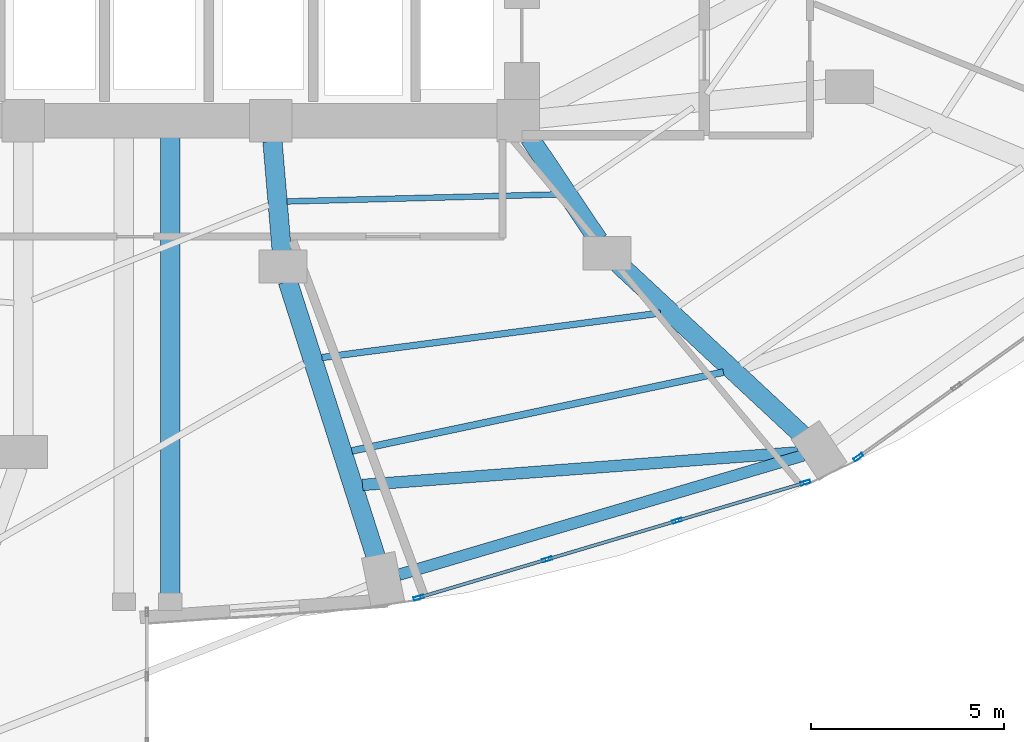
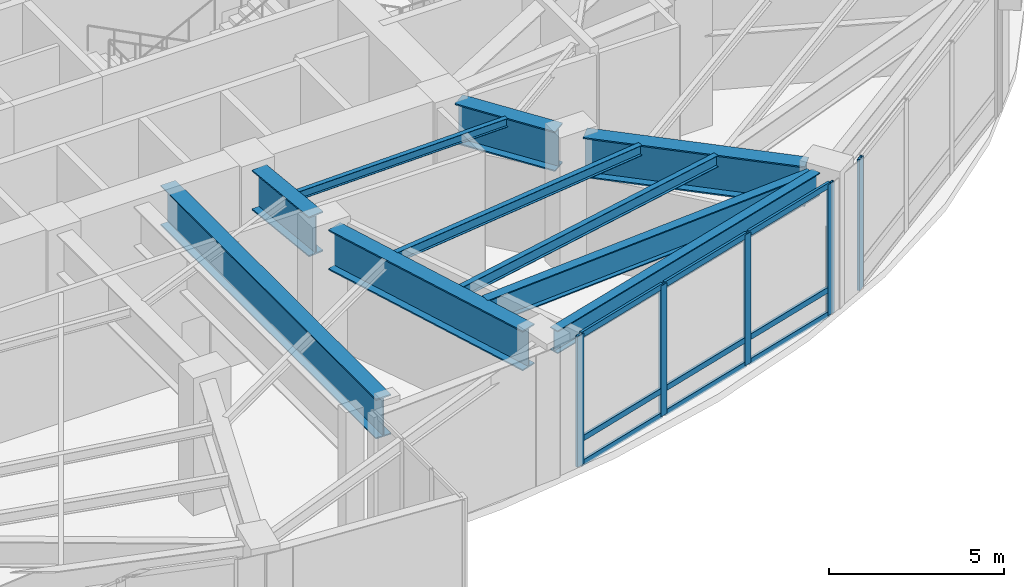
# One storey, part 10 of 24: 14 members, 10 beams, 2 elements without a shape of their own.
"""IFC4 building model written with IfcOpenShell, lengths in metres."""

import ifcopenshell
import ifcopenshell.guid

model = None  # the IFC model being written
_history = None  # IfcOwnerHistory: only IFC2X3 demands one
_inside = {}  # id of a spatial element -> (the spatial element, [elements in it])
_under = {}  # id of a project, library or spatial element -> (it, [spatial elements below it])
_declared = {}  # id of a project -> (the project, [libraries it declares])
_typed = {}  # id of a type object -> (the type object, [elements of that type])
_made_of = {}  # id of a material, layer set ... -> (it, [elements and type objects made of it])


def new_model(schema):
    """Start an empty IFC model of exactly this schema.

    Asked for "IFC4X3", IfcOpenShell would pick the latest addendum, in which some entities
    have other attributes; the version numbers below select the first issue.
    IFC2X3 requires an IfcOwnerHistory on every rooted entity: one is made here for all.
    """
    global model, _history
    if schema == "IFC4X3":
        model = ifcopenshell.file(schema_version=(4, 3, 0, 0))
    else:
        model = ifcopenshell.file(schema=schema)
    _inside.clear()
    _under.clear()
    _declared.clear()
    _typed.clear()
    _made_of.clear()
    _history = None
    if model.schema == "IFC2X3":
        org = make("IfcOrganization", Name="unknown")
        user = make(
            "IfcPersonAndOrganization",
            ThePerson=make("IfcPerson", FamilyName="unknown"),
            TheOrganization=org,
        )
        app = make(
            "IfcApplication",
            ApplicationDeveloper=org,
            Version="unknown",
            ApplicationFullName="unknown",
            ApplicationIdentifier="unknown",
        )
        _history = make(
            "IfcOwnerHistory",
            OwningUser=user,
            OwningApplication=app,
            ChangeAction="ADDED",
            CreationDate=0,
        )
    return model


def make(cls, **values):
    """One entity of the class cls with the attributes given. An attribute that is None is left unset."""
    return model.create_entity(
        cls, **{name: value for name, value in values.items() if value is not None}
    )


def rooted(cls, **values):
    """An entity with a GlobalId (a new one), such as an element, a storey or a relation."""
    return make(cls, GlobalId=ifcopenshell.guid.new(), OwnerHistory=_history, **values)


def si_unit(unit_type, name, prefix=None):
    """IfcSIUnit, for example si_unit("LENGTHUNIT", "METRE", prefix="MILLI")."""
    return make("IfcSIUnit", UnitType=unit_type, Prefix=prefix, Name=name)


def assignment(units):
    """IfcUnitAssignment: the units of a project."""
    return None if units is None else make("IfcUnitAssignment", Units=units)


def point(xyz):
    """IfcCartesianPoint."""
    return None if xyz is None else make("IfcCartesianPoint", Coordinates=xyz)


def direction(xyz):
    """IfcDirection."""
    return None if xyz is None else make("IfcDirection", DirectionRatios=xyz)


def frame(location, z_axis=None, x_axis=None):
    """IfcAxis2Placement3D, a coordinate frame: its origin and axes. An axis left out is left unset."""
    return make(
        "IfcAxis2Placement3D",
        Location=point(location),
        Axis=direction(z_axis),
        RefDirection=direction(x_axis),
    )


def frame_2d(location, x_axis=None):
    """IfcAxis2Placement2D, a coordinate frame in the plane: its origin and x axis."""
    return make(
        "IfcAxis2Placement2D", Location=point(location), RefDirection=direction(x_axis)
    )


def origin():
    """The frame at (0, 0, 0) with its axes left unset."""
    return frame((0.0, 0.0, 0.0))


def origin_2d():
    """The frame at (0, 0) in the plane with its x axis left unset."""
    return frame_2d((0.0, 0.0))


def place(relative_to, where):
    """IfcLocalPlacement: puts the frame where relative to a parent placement (None: the world)."""
    return make(
        "IfcLocalPlacement", PlacementRelTo=relative_to, RelativePlacement=where
    )


def context(
    kind, dimensions, precision=None, world=None, true_north=None, identifier=None
):
    """IfcGeometricRepresentationContext, for example the 3D "Model" context."""
    return make(
        "IfcGeometricRepresentationContext",
        ContextIdentifier=identifier,
        ContextType=kind,
        CoordinateSpaceDimension=dimensions,
        Precision=precision,
        WorldCoordinateSystem=world,
        TrueNorth=true_north,
    )


def subcontext(parent, identifier, kind, view, scale=None):
    """IfcGeometricRepresentationSubContext, for example "Body" below "Model"."""
    return make(
        "IfcGeometricRepresentationSubContext",
        ContextIdentifier=identifier,
        ContextType=kind,
        ParentContext=parent,
        TargetScale=scale,
        TargetView=view,
    )


def project(units=None, contexts=None):
    """IfcProject with its units and contexts."""
    return rooted(
        "IfcProject",
        Name="project",
        RepresentationContexts=contexts,
        UnitsInContext=assignment(units),
    )


def spatial(cls, under=None, at=None, **own):
    """A site, building, storey or space (cls), placed at a placement, below another one or the project."""
    s = rooted(cls, ObjectPlacement=at, **own)
    if under is not None:
        _under.setdefault(under.id(), (under, []))[1].append(s)
    return s


def profile(cls, at=None, kind="AREA", **sizes):
    """A parametric profile (cls). Its sizes go by their IFC names, for example OverallWidth=200.0."""
    return make(cls, ProfileType=kind, Position=at, **sizes)


def hollow_rectangle(**sizes):
    """IfcRectangleHollowProfileDef."""
    return profile("IfcRectangleHollowProfileDef", **sizes)


def i_section(**sizes):
    """IfcIShapeProfileDef."""
    return profile("IfcIShapeProfileDef", **sizes)


def extrude(swept, where, along, depth):
    """IfcExtrudedAreaSolid: the profile swept, set in the frame where, extruded along a direction by depth."""
    return make(
        "IfcExtrudedAreaSolid",
        SweptArea=swept,
        Position=where,
        ExtrudedDirection=direction(along),
        Depth=depth,
    )


def shape(context_of_items, identifier, shape_type, items):
    """IfcShapeRepresentation: the items that make up one representation, for example the "Body"."""
    return make(
        "IfcShapeRepresentation",
        ContextOfItems=context_of_items,
        RepresentationIdentifier=identifier,
        RepresentationType=shape_type,
        Items=items,
    )


def material(Name=None, Category=None):
    """IfcMaterial."""
    return make("IfcMaterial", Name=Name, Category=Category)


def layer(
    of_material, thickness, ventilated=None, Name=None, Category=None, Priority=None
):
    """IfcMaterialLayer: one layer of a wall or slab, of a material (None: an air gap)."""
    return make(
        "IfcMaterialLayer",
        Material=of_material,
        LayerThickness=thickness,
        IsVentilated=ventilated,
        Name=Name,
        Category=Category,
        Priority=Priority,
    )


def layer_set(layers, Name=None):
    """IfcMaterialLayerSet."""
    return make("IfcMaterialLayerSet", MaterialLayers=layers, LayerSetName=Name)


def material_profile(
    of_material, cross_section, Name=None, Category=None, Priority=None
):
    """IfcMaterialProfile: a cross section and its material."""
    return make(
        "IfcMaterialProfile",
        Name=Name,
        Material=of_material,
        Profile=cross_section,
        Priority=Priority,
        Category=Category,
    )


def profile_set(profiles, Name=None, composite=None):
    """IfcMaterialProfileSet."""
    return make(
        "IfcMaterialProfileSet",
        Name=Name,
        MaterialProfiles=profiles,
        CompositeProfile=composite,
    )


def made_of(thing, what):
    """Note that an element or type object is made of a material, layer set ...; save() writes the relation."""
    if what is not None:
        _made_of.setdefault(what.id(), (what, []))[1].append(thing)
    return thing


def type_object(cls, material=None, **own):
    """A type object (cls), such as IfcWallType, which elements share."""
    return made_of(rooted(cls, **own), material)


def element(
    cls,
    number,
    at=None,
    inside=None,
    cuts=None,
    type_object=None,
    material=None,
    context=None,
    identifier="Body",
    shape_type=None,
    held_by="IfcProductDefinitionShape",
    body=None,
    shapes=None,
    **own,
):
    """One element of the class cls, such as IfcWall. Its Tag is "e" and its number.

    at: its placement. inside: the storey or other place that contains it. cuts: it is an
    opening in that element (IfcRelVoidsElement). A single representation is given by context,
    identifier, shape_type and body (its items); several are given by shapes. held_by: the class
    of the entity that holds the representations. save() writes the other relations.
    """
    e = rooted(cls, Tag="e%d" % number, ObjectPlacement=at, **own)
    if body is not None:
        shapes = [shape(context, identifier, shape_type, body)]
    if shapes is not None:
        e.Representation = make(held_by, Representations=shapes)
    if inside is not None:
        _inside.setdefault(inside.id(), (inside, []))[1].append(e)
    if cuts is not None:
        rooted(
            "IfcRelVoidsElement", RelatingBuildingElement=cuts, RelatedOpeningElement=e
        )
    if type_object is not None:
        _typed.setdefault(type_object.id(), (type_object, []))[1].append(e)
    return made_of(e, material)


def aggregate(whole, parts):
    """IfcRelAggregates: a whole, such as a stair, and the parts it consists of."""
    return rooted("IfcRelAggregates", RelatingObject=whole, RelatedObjects=parts)


def save(model, path):
    """Write the relations noted so far, then the file.

    IfcRelAggregates (storeys below a building ...), IfcRelContainedInSpatialStructure (elements
    in a storey), IfcRelDefinesByType, IfcRelAssociatesMaterial and IfcRelDeclares: one each for
    every whole, place, type object, material and project.
    """
    for whole, parts in _under.values():
        aggregate(whole, parts)
    for where, things in _inside.values():
        rooted(
            "IfcRelContainedInSpatialStructure",
            RelatedElements=things,
            RelatingStructure=where,
        )
    for kind, things in _typed.values():
        rooted("IfcRelDefinesByType", RelatedObjects=things, RelatingType=kind)
    for what, things in _made_of.values():
        rooted("IfcRelAssociatesMaterial", RelatedObjects=things, RelatingMaterial=what)
    for by, libraries in _declared.values():
        rooted("IfcRelDeclares", RelatingContext=by, RelatedDefinitions=libraries)
    model.write(path)


model = new_model("IFC4")

# Units and contexts
model_context = context("Model", 3, precision=1e-05, world=origin(), true_north=direction((0.0, 1.0)))
body_context = subcontext(model_context, "Body", "Model", "MODEL_VIEW")
ifc_project = project(units=[si_unit("LENGTHUNIT", "METRE"), si_unit("AREAUNIT", "SQUARE_METRE"), si_unit("VOLUMEUNIT", "CUBIC_METRE"), si_unit("PLANEANGLEUNIT", "RADIAN"), si_unit("MASSUNIT", "GRAM", prefix="KILO")], contexts=[model_context])

# Site, building, storey
site_placement = place(None, origin())
site = spatial("IfcSite", under=ifc_project, at=site_placement, CompositionType="ELEMENT")
building_placement = place(site_placement, origin())
building = spatial("IfcBuilding", under=site, at=building_placement, Name="Lazwardi Medical Tower", CompositionType="ELEMENT")
storey_placement = place(building_placement, frame((0.0, 0.0, 20.39990234375)))
storey = spatial("IfcBuildingStorey", under=building, at=storey_placement, Name="L04", CompositionType="ELEMENT", Elevation=20.39990234375)

# Beams
ifc_material_1 = material(Name="Steel S460", Category="steel")
ifc_material_profile_1 = material_profile(ifc_material_1, i_section(OverallWidth=0.300048828125, OverallDepth=0.89990234375, WebThickness=0.0185546875, FlangeThickness=0.034912109375, at=origin_2d()), Name="HEB 900")
ifc_profile_set_1 = profile_set([ifc_material_profile_1], Name="Steel S460")
beam_type_1 = type_object("IfcBeamType", Name="BM-HB-01", PredefinedType="BEAM", material=ifc_profile_set_1)
beam_1_placement = place(storey_placement, frame((41.5751953125, 10.97412109375, 4.130126953125), z_axis=(0.997211757878, 0.074623789443, 0.0), x_axis=(-0.074623789443, 0.997211757878, 0.0)))
element("IfcBeam", 1, at=beam_1_placement, inside=storey, type_object=beam_type_1, Name="Transfer girder tie HB-01 M01 L04", PredefinedType="BEAM", context=body_context, shape_type="SweptSolid", body=[
    extrude(i_section(OverallWidth=0.300048828125, OverallDepth=0.89990234375, WebThickness=0.0185546875, FlangeThickness=0.034912109375, at=origin_2d()), origin(), (0.0, 0.0, 1.0), 11.287109375),
])
ifc_material_2 = material(Name="Steel S355", Category="steel")
ifc_material_profile_2 = material_profile(ifc_material_2, i_section(OverallWidth=0.300048828125, OverallDepth=0.800048828125, WebThickness=0.017578125, FlangeThickness=0.032958984375, at=origin_2d()), Name="HEB 800")
ifc_profile_set_2 = profile_set([ifc_material_profile_2], Name="Steel S355")
beam_type_2 = type_object("IfcBeamType", Name="BM-RB-P1", PredefinedType="BEAM", material=ifc_profile_set_2)
beam_2_placement = place(storey_placement, frame((42.518798828125, 8.650146484375, 4.18017578125), z_axis=(0.959103395471, 0.283055960537, 0.0), x_axis=(-0.283055960537, 0.959103395471, 0.0)))
element("IfcBeam", 2, at=beam_2_placement, inside=storey, type_object=beam_type_2, Name="Ring beam RB-01 B01 L04", PredefinedType="BEAM", context=body_context, shape_type="SweptSolid", body=[
    extrude(i_section(OverallWidth=0.300048828125, OverallDepth=0.800048828125, WebThickness=0.017578125, FlangeThickness=0.032958984375, at=origin_2d()), origin(), (0.0, 0.0, 1.0), 10.904052734375),
])
ifc_material_profile_3 = material_profile(ifc_material_2, i_section(OverallWidth=0.179931640625, OverallDepth=0.39990234375, WebThickness=0.008544921875, FlangeThickness=0.013427734375, at=origin_2d()), Name="IPE 400")
ifc_profile_set_3 = profile_set([ifc_material_profile_3], Name="Steel S355")
beam_type_3 = type_object("IfcBeamType", Name="BM-SJ-01", PredefinedType="JOIST", material=ifc_profile_set_3)
beam_3_placement = place(storey_placement, frame((41.300048828125, 11.853759765625, 4.380126953125), z_axis=(0.978253530237, 0.207412705926, 0.0), x_axis=(-0.207412705926, 0.978253530237, 0.0)))
element("IfcBeam", 3, at=beam_3_placement, inside=storey, type_object=beam_type_3, Name="Secondary joist SJ-01 RO1 B01 L04", PredefinedType="JOIST", context=body_context, shape_type="SweptSolid", body=[
    extrude(i_section(OverallWidth=0.179931640625, OverallDepth=0.39990234375, WebThickness=0.008544921875, FlangeThickness=0.013427734375, at=origin_2d()), origin(), (0.0, 0.0, 1.0), 9.826171875),
])
ifc_material_profile_4 = material_profile(ifc_material_2, i_section(OverallWidth=0.169921875, OverallDepth=0.360107421875, WebThickness=0.008056640625, FlangeThickness=0.0126953125, at=origin_2d()), Name="IPE 360")
ifc_profile_set_4 = profile_set([ifc_material_profile_4], Name="Steel S355")
beam_type_4 = type_object("IfcBeamType", Name="BM-SJ-02", PredefinedType="JOIST", material=ifc_profile_set_4)
beam_4_placement = place(storey_placement, frame((40.525390625, 14.270263671875, 4.400146484375), z_axis=(0.991473466477, 0.130308730604, 0.0), x_axis=(-0.130308730604, 0.991473466477, 0.0)))
element("IfcBeam", 4, at=beam_4_placement, inside=storey, type_object=beam_type_4, Name="Secondary joist SJ-02 RO2 B01 L04", PredefinedType="JOIST", context=body_context, shape_type="SweptSolid", body=[
    extrude(i_section(OverallWidth=0.169921875, OverallDepth=0.360107421875, WebThickness=0.008056640625, FlangeThickness=0.0126953125, at=origin_2d()), origin(), (0.0, 0.0, 1.0), 8.837646484375),
])
ifc_material_profile_5 = material_profile(ifc_material_2, i_section(OverallWidth=0.14990234375, OverallDepth=0.300048828125, WebThickness=0.007080078125, FlangeThickness=0.0107421875, at=origin_2d()), Name="IPE 300")
ifc_profile_set_5 = profile_set([ifc_material_profile_5], Name="Steel S355")
beam_type_5 = type_object("IfcBeamType", Name="BM-SJ-03", PredefinedType="JOIST", material=ifc_profile_set_5)
beam_5_placement = place(storey_placement, frame((39.622802734375, 18.309326171875, 4.43017578125), z_axis=(0.999666263873, 0.025833328729, 0.0), x_axis=(-0.025833328729, 0.999666263873, 0.0)))
element("IfcBeam", 5, at=beam_5_placement, inside=storey, type_object=beam_type_5, Name="Secondary joist SJ-03 RI1 B01 L04", PredefinedType="JOIST", context=body_context, shape_type="SweptSolid", body=[
    extrude(i_section(OverallWidth=0.14990234375, OverallDepth=0.300048828125, WebThickness=0.007080078125, FlangeThickness=0.0107421875, at=origin_2d()), origin(), (0.0, 0.0, 1.0), 7.012451171875),
])
ifc_material_profile_6 = material_profile(ifc_material_1, i_section(OverallWidth=0.5, OverallDepth=1.39990234375, WebThickness=0.028076171875, FlangeThickness=0.044921875, at=origin_2d()), Name="PG 1400x500")
ifc_profile_set_6 = profile_set([ifc_material_profile_6], Name="Steel S460")
beam_type_6 = type_object("IfcBeamType", Name="BM-TG-01", PredefinedType="BEAM", material=ifc_profile_set_6)
beam_6_placement = place(storey_placement, frame((36.60009765625, 8.159912109375, 3.880126953125), z_axis=(0.0, 1.0, 0.0), x_axis=(-1.0, 0.0, 0.0)))
element("IfcBeam", 6, at=beam_6_placement, inside=storey, type_object=beam_type_6, Name="Transfer girder TG-01 PL4 L04", PredefinedType="BEAM", context=body_context, shape_type="SweptSolid", body=[
    extrude(i_section(OverallWidth=0.5, OverallDepth=1.39990234375, WebThickness=0.028076171875, FlangeThickness=0.044921875, at=origin_2d()), origin(), (0.0, 0.0, 1.0), 12.340087890625),
])
beam_7_placement = place(storey_placement, frame((41.9296875, 9.0810546875, 3.880126953125), z_axis=(-0.304290316493, 0.952579342254, 0.0), x_axis=(-0.952579342254, -0.304290316493, 0.0)))
element("IfcBeam", 7, at=beam_7_placement, inside=storey, type_object=beam_type_6, Name="Transfer girder TG-01 M01A L04", PredefinedType="BEAM", context=body_context, shape_type="SweptSolid", body=[
    extrude(i_section(OverallWidth=0.5, OverallDepth=1.39990234375, WebThickness=0.028076171875, FlangeThickness=0.044921875, at=origin_2d()), origin(), (0.0, 0.0, 1.0), 7.51953125),
])
beam_8_placement = place(storey_placement, frame((39.486083984375, 17.023681640625, 3.880126953125), z_axis=(-0.084447396155, 0.996427938831, 0.0), x_axis=(-0.996427938831, -0.084447396155, 0.0)))
element("IfcBeam", 8, at=beam_8_placement, inside=storey, type_object=beam_type_6, Name="Transfer girder TG-01 M01B L04", PredefinedType="BEAM", context=body_context, shape_type="SweptSolid", body=[
    extrude(i_section(OverallWidth=0.5, OverallDepth=1.39990234375, WebThickness=0.028076171875, FlangeThickness=0.044921875, at=origin_2d()), origin(), (0.0, 0.0, 1.0), 2.853515625),
])
beam_9_placement = place(storey_placement, frame((52.965087890625, 12.253662109375, 3.880126953125), z_axis=(-0.731658891276, 0.681670937342, 0.0), x_axis=(-0.681670937342, -0.731658891276, 0.0)))
element("IfcBeam", 9, at=beam_9_placement, inside=storey, type_object=beam_type_6, Name="Transfer girder TG-01 M02A L04", PredefinedType="BEAM", context=body_context, shape_type="SweptSolid", body=[
    extrude(i_section(OverallWidth=0.5, OverallDepth=1.39990234375, WebThickness=0.028076171875, FlangeThickness=0.044921875, at=origin_2d()), origin(), (0.0, 0.0, 1.0), 6.52001953125),
])
beam_10_placement = place(storey_placement, frame((47.678955078125, 17.302978515625, 3.880126953125), z_axis=(-0.557342392299, 0.830282757708, 0.0), x_axis=(-0.830282757708, -0.557342392299, 0.0)))
element("IfcBeam", 10, at=beam_10_placement, inside=storey, type_object=beam_type_6, Name="Transfer girder TG-01 M02B L04", PredefinedType="BEAM", context=body_context, shape_type="SweptSolid", body=[
    extrude(i_section(OverallWidth=0.5, OverallDepth=1.39990234375, WebThickness=0.028076171875, FlangeThickness=0.044921875, at=origin_2d()), origin(), (0.0, 0.0, 1.0), 3.195068359375),
])

# Curtain wall, members
ifc_material_3 = material(Name="Anodised bronze aluminium and solar control glazing", Category="aluminium")
ifc_layer = layer(ifc_material_3, 0.219970703125)
ifc_layer_set = layer_set([ifc_layer], Name="Anodised bronze aluminium and solar control glazing")
curtain_wall_type = type_object("IfcCurtainWallType", Name="CW-SYS-01", PredefinedType="NOTDEFINED", material=ifc_layer_set)
curtain_wall_1_placement = place(storey_placement, origin())
curtain_wall_1 = element("IfcCurtainWall", 11, at=curtain_wall_1_placement, inside=storey, type_object=curtain_wall_type, Name="L04 Unitised bronze curtain wall CW-01", PredefinedType="NOTDEFINED")
ifc_material_4 = material(Name="Anodised bronze aluminium", Category="aluminium")
ifc_material_profile_7 = material_profile(ifc_material_4, hollow_rectangle(XDim=0.0849609375, YDim=0.260009765625, WallThickness=0.0048828125, at=origin_2d()), Name="ALU-MULLION 260x85x5")
ifc_profile_set_7 = profile_set([ifc_material_profile_7], Name="Anodised bronze aluminium")
member_type_1 = type_object("IfcMemberType", Name="CW-MUL-02", PredefinedType="MULLION", material=ifc_profile_set_7)
member_1_placement = place(storey_placement, frame((43.02880859375, 8.05810546875, 0.0), z_axis=(0.0, 0.0, 1.0), x_axis=(-0.285047195531, 0.958513482597, 0.0)))
member_1 = element("IfcMember", 12, at=member_1_placement, type_object=member_type_1, Name="CW-01 mullion 1", PredefinedType="MULLION", context=body_context, shape_type="SweptSolid", body=[
    extrude(hollow_rectangle(XDim=0.0849609375, YDim=0.260009765625, WallThickness=0.0048828125, at=origin_2d()), origin(), (0.0, 0.0, 1.0), 4.580078125),
])
member_2_placement = place(storey_placement, frame((46.350341796875, 9.0458984375, 0.0), z_axis=(0.0, 0.0, 1.0), x_axis=(-0.285047195531, 0.958513482597, 0.0)))
member_2 = element("IfcMember", 13, at=member_2_placement, type_object=member_type_1, Name="CW-01 mullion 2", PredefinedType="MULLION", context=body_context, shape_type="SweptSolid", body=[
    extrude(hollow_rectangle(XDim=0.0849609375, YDim=0.260009765625, WallThickness=0.0048828125, at=origin_2d()), origin(), (0.0, 0.0, 1.0), 4.580078125),
])
member_3_placement = place(storey_placement, frame((49.71240234375, 10.0458984375, 0.0), z_axis=(0.0, 0.0, 1.0), x_axis=(-0.285047195531, 0.958513482597, 0.0)))
member_3 = element("IfcMember", 14, at=member_3_placement, type_object=member_type_1, Name="CW-01 mullion 3", PredefinedType="MULLION", context=body_context, shape_type="SweptSolid", body=[
    extrude(hollow_rectangle(XDim=0.0849609375, YDim=0.260009765625, WallThickness=0.0048828125, at=origin_2d()), origin(), (0.0, 0.0, 1.0), 4.580078125),
])
member_4_placement = place(storey_placement, frame((53.033935546875, 11.03369140625, 0.0), z_axis=(0.0, 0.0, 1.0), x_axis=(-0.285047195531, 0.958513482597, 0.0)))
member_4 = element("IfcMember", 15, at=member_4_placement, type_object=member_type_1, Name="CW-01 mullion 4", PredefinedType="MULLION", context=body_context, shape_type="SweptSolid", body=[
    extrude(hollow_rectangle(XDim=0.0849609375, YDim=0.260009765625, WallThickness=0.0048828125, at=origin_2d()), origin(), (0.0, 0.0, 1.0), 4.580078125),
])

# Curtain wall, member
curtain_wall_2_placement = place(storey_placement, origin())
curtain_wall_2 = element("IfcCurtainWall", 16, at=curtain_wall_2_placement, inside=storey, type_object=curtain_wall_type, Name="L04 Unitised bronze curtain wall CW-01", PredefinedType="NOTDEFINED")
member_5_placement = place(storey_placement, frame((54.40576171875, 11.6923828125, 0.0), z_axis=(0.0, 0.0, 1.0), x_axis=(-0.583214260584, 0.812318365083, 0.0)))
member_5 = element("IfcMember", 17, at=member_5_placement, type_object=member_type_1, Name="CW-01 mullion 1", PredefinedType="MULLION", context=body_context, shape_type="SweptSolid", body=[
    extrude(hollow_rectangle(XDim=0.0849609375, YDim=0.260009765625, WallThickness=0.0048828125, at=origin_2d()), origin(), (0.0, 0.0, 1.0), 4.580078125),
])
aggregate(curtain_wall_2, [member_5])

# Member
ifc_material_profile_8 = material_profile(ifc_material_4, hollow_rectangle(XDim=0.0849609375, YDim=0.199951171875, WallThickness=0.00439453125, at=origin_2d()), Name="ALU-TRANSOM 200x85x4.5")
ifc_profile_set_8 = profile_set([ifc_material_profile_8], Name="Anodised bronze aluminium")
member_type_2 = type_object("IfcMemberType", Name="CW-TRN-02", PredefinedType="USERDEFINED", material=ifc_profile_set_8)
member_6_placement = place(storey_placement, frame((43.069580078125, 8.0703125, 0.04248046875), z_axis=(0.958505424522, 0.285074290603, 0.0), x_axis=(-0.285074290603, 0.958505424522, 0.0)))
member_6 = element("IfcMember", 18, at=member_6_placement, type_object=member_type_2, Name="CW-01 transom 1.1", ObjectType="TRANSOM", PredefinedType="USERDEFINED", context=body_context, shape_type="SweptSolid", body=[
    extrude(hollow_rectangle(XDim=0.0849609375, YDim=0.199951171875, WallThickness=0.00439453125, at=origin_2d()), origin(), (0.0, 0.0, 1.0), 3.38037109375),
])

member_7_placement = place(storey_placement, frame((43.069580078125, 8.0703125, 0.900146484375), z_axis=(0.958505424522, 0.285074290603, 0.0), x_axis=(-0.285074290603, 0.958505424522, 0.0)))
member_7 = element("IfcMember", 19, at=member_7_placement, type_object=member_type_2, Name="CW-01 transom 1.2", ObjectType="TRANSOM", PredefinedType="USERDEFINED", context=body_context, shape_type="SweptSolid", body=[
    extrude(hollow_rectangle(XDim=0.0849609375, YDim=0.199951171875, WallThickness=0.00439453125, at=origin_2d()), origin(), (0.0, 0.0, 1.0), 3.38037109375),
])

member_8_placement = place(storey_placement, frame((43.069580078125, 8.0703125, 4.53759765625), z_axis=(0.958505424522, 0.285074290603, 0.0), x_axis=(-0.285074290603, 0.958505424522, 0.0)))
member_8 = element("IfcMember", 20, at=member_8_placement, type_object=member_type_2, Name="CW-01 transom 1.3", ObjectType="TRANSOM", PredefinedType="USERDEFINED", context=body_context, shape_type="SweptSolid", body=[
    extrude(hollow_rectangle(XDim=0.0849609375, YDim=0.199951171875, WallThickness=0.00439453125, at=origin_2d()), origin(), (0.0, 0.0, 1.0), 3.38037109375),
])

member_9_placement = place(storey_placement, frame((46.39111328125, 9.05810546875, 0.04248046875), z_axis=(0.958518450342, 0.285030490219, 0.0), x_axis=(-0.285030490219, 0.958518450342, 0.0)))
member_9 = element("IfcMember", 21, at=member_9_placement, type_object=member_type_2, Name="CW-01 transom 2.1", ObjectType="TRANSOM", PredefinedType="USERDEFINED", context=body_context, shape_type="SweptSolid", body=[
    extrude(hollow_rectangle(XDim=0.0849609375, YDim=0.199951171875, WallThickness=0.00439453125, at=origin_2d()), origin(), (0.0, 0.0, 1.0), 3.4228515625),
])

member_10_placement = place(storey_placement, frame((46.39111328125, 9.05810546875, 0.900146484375), z_axis=(0.958518450342, 0.285030490219, 0.0), x_axis=(-0.285030490219, 0.958518450342, 0.0)))
member_10 = element("IfcMember", 22, at=member_10_placement, type_object=member_type_2, Name="CW-01 transom 2.2", ObjectType="TRANSOM", PredefinedType="USERDEFINED", context=body_context, shape_type="SweptSolid", body=[
    extrude(hollow_rectangle(XDim=0.0849609375, YDim=0.199951171875, WallThickness=0.00439453125, at=origin_2d()), origin(), (0.0, 0.0, 1.0), 3.4228515625),
])

member_11_placement = place(storey_placement, frame((46.39111328125, 9.05810546875, 4.53759765625), z_axis=(0.958518450342, 0.285030490219, 0.0), x_axis=(-0.285030490219, 0.958518450342, 0.0)))
member_11 = element("IfcMember", 23, at=member_11_placement, type_object=member_type_2, Name="CW-01 transom 2.3", ObjectType="TRANSOM", PredefinedType="USERDEFINED", context=body_context, shape_type="SweptSolid", body=[
    extrude(hollow_rectangle(XDim=0.0849609375, YDim=0.199951171875, WallThickness=0.00439453125, at=origin_2d()), origin(), (0.0, 0.0, 1.0), 3.4228515625),
])

member_12_placement = place(storey_placement, frame((49.753173828125, 10.057861328125, 0.04248046875), z_axis=(0.958505424522, 0.285074290603, 0.0), x_axis=(-0.285074290603, 0.958505424522, 0.0)))
member_12 = element("IfcMember", 24, at=member_12_placement, type_object=member_type_2, Name="CW-01 transom 3.1", ObjectType="TRANSOM", PredefinedType="USERDEFINED", context=body_context, shape_type="SweptSolid", body=[
    extrude(hollow_rectangle(XDim=0.0849609375, YDim=0.199951171875, WallThickness=0.00439453125, at=origin_2d()), origin(), (0.0, 0.0, 1.0), 3.38037109375),
])

member_13_placement = place(storey_placement, frame((49.753173828125, 10.057861328125, 0.900146484375), z_axis=(0.958505424522, 0.285074290603, 0.0), x_axis=(-0.285074290603, 0.958505424522, 0.0)))
member_13 = element("IfcMember", 25, at=member_13_placement, type_object=member_type_2, Name="CW-01 transom 3.2", ObjectType="TRANSOM", PredefinedType="USERDEFINED", context=body_context, shape_type="SweptSolid", body=[
    extrude(hollow_rectangle(XDim=0.0849609375, YDim=0.199951171875, WallThickness=0.00439453125, at=origin_2d()), origin(), (0.0, 0.0, 1.0), 3.38037109375),
])

member_14_placement = place(storey_placement, frame((49.753173828125, 10.057861328125, 4.53759765625), z_axis=(0.958505424522, 0.285074290603, 0.0), x_axis=(-0.285074290603, 0.958505424522, 0.0)))
member_14 = element("IfcMember", 26, at=member_14_placement, type_object=member_type_2, Name="CW-01 transom 3.3", ObjectType="TRANSOM", PredefinedType="USERDEFINED", context=body_context, shape_type="SweptSolid", body=[
    extrude(hollow_rectangle(XDim=0.0849609375, YDim=0.199951171875, WallThickness=0.00439453125, at=origin_2d()), origin(), (0.0, 0.0, 1.0), 3.38037109375),
])

aggregate(curtain_wall_1, [member_1, member_2, member_3, member_4, member_6, member_7, member_8, member_9, member_10, member_11, member_12, member_13, member_14])

save(model, "model.ifc")
